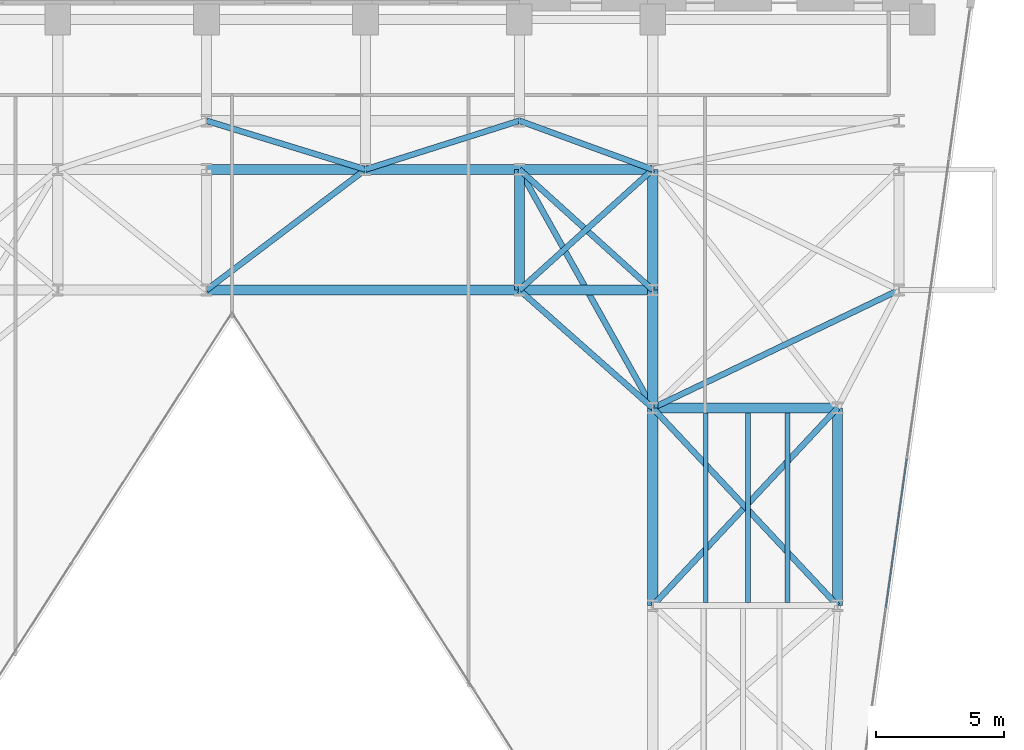
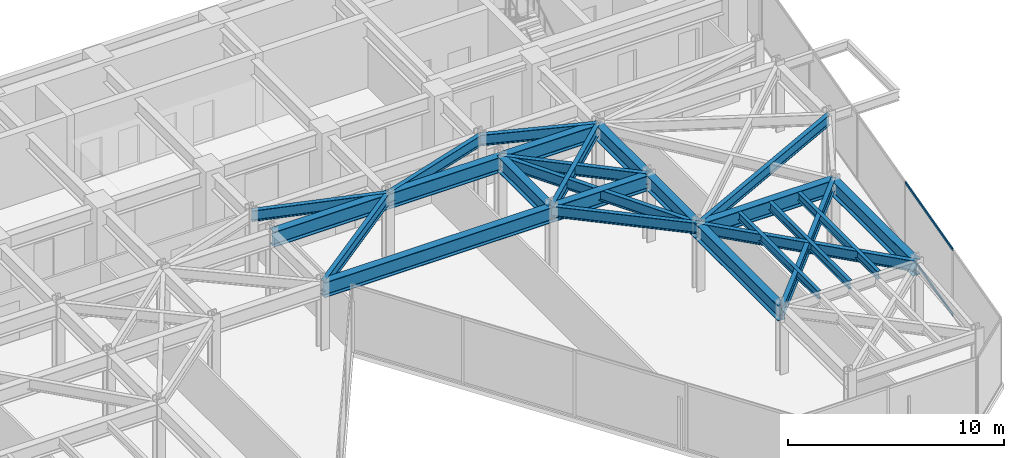
# One storey, part 13 of 24: 25 beams, 2 members, 1 element without a shape of its own.
"""IFC4 building model written with IfcOpenShell, lengths in metres."""

import ifcopenshell
import ifcopenshell.guid

model = None  # the IFC model being written
_history = None  # IfcOwnerHistory: only IFC2X3 demands one
_inside = {}  # id of a spatial element -> (the spatial element, [elements in it])
_under = {}  # id of a project, library or spatial element -> (it, [spatial elements below it])
_declared = {}  # id of a project -> (the project, [libraries it declares])
_typed = {}  # id of a type object -> (the type object, [elements of that type])
_made_of = {}  # id of a material, layer set ... -> (it, [elements and type objects made of it])


def new_model(schema):
    """Start an empty IFC model of exactly this schema.

    Asked for "IFC4X3", IfcOpenShell would pick the latest addendum, in which some entities
    have other attributes; the version numbers below select the first issue.
    IFC2X3 requires an IfcOwnerHistory on every rooted entity: one is made here for all.
    """
    global model, _history
    if schema == "IFC4X3":
        model = ifcopenshell.file(schema_version=(4, 3, 0, 0))
    else:
        model = ifcopenshell.file(schema=schema)
    _inside.clear()
    _under.clear()
    _declared.clear()
    _typed.clear()
    _made_of.clear()
    _history = None
    if model.schema == "IFC2X3":
        org = make("IfcOrganization", Name="unknown")
        user = make(
            "IfcPersonAndOrganization",
            ThePerson=make("IfcPerson", FamilyName="unknown"),
            TheOrganization=org,
        )
        app = make(
            "IfcApplication",
            ApplicationDeveloper=org,
            Version="unknown",
            ApplicationFullName="unknown",
            ApplicationIdentifier="unknown",
        )
        _history = make(
            "IfcOwnerHistory",
            OwningUser=user,
            OwningApplication=app,
            ChangeAction="ADDED",
            CreationDate=0,
        )
    return model


def make(cls, **values):
    """One entity of the class cls with the attributes given. An attribute that is None is left unset."""
    return model.create_entity(
        cls, **{name: value for name, value in values.items() if value is not None}
    )


def rooted(cls, **values):
    """An entity with a GlobalId (a new one), such as an element, a storey or a relation."""
    return make(cls, GlobalId=ifcopenshell.guid.new(), OwnerHistory=_history, **values)


def si_unit(unit_type, name, prefix=None):
    """IfcSIUnit, for example si_unit("LENGTHUNIT", "METRE", prefix="MILLI")."""
    return make("IfcSIUnit", UnitType=unit_type, Prefix=prefix, Name=name)


def assignment(units):
    """IfcUnitAssignment: the units of a project."""
    return None if units is None else make("IfcUnitAssignment", Units=units)


def point(xyz):
    """IfcCartesianPoint."""
    return None if xyz is None else make("IfcCartesianPoint", Coordinates=xyz)


def direction(xyz):
    """IfcDirection."""
    return None if xyz is None else make("IfcDirection", DirectionRatios=xyz)


def frame(location, z_axis=None, x_axis=None):
    """IfcAxis2Placement3D, a coordinate frame: its origin and axes. An axis left out is left unset."""
    return make(
        "IfcAxis2Placement3D",
        Location=point(location),
        Axis=direction(z_axis),
        RefDirection=direction(x_axis),
    )


def frame_2d(location, x_axis=None):
    """IfcAxis2Placement2D, a coordinate frame in the plane: its origin and x axis."""
    return make(
        "IfcAxis2Placement2D", Location=point(location), RefDirection=direction(x_axis)
    )


def origin():
    """The frame at (0, 0, 0) with its axes left unset."""
    return frame((0.0, 0.0, 0.0))


def origin_2d():
    """The frame at (0, 0) in the plane with its x axis left unset."""
    return frame_2d((0.0, 0.0))


def place(relative_to, where):
    """IfcLocalPlacement: puts the frame where relative to a parent placement (None: the world)."""
    return make(
        "IfcLocalPlacement", PlacementRelTo=relative_to, RelativePlacement=where
    )


def context(
    kind, dimensions, precision=None, world=None, true_north=None, identifier=None
):
    """IfcGeometricRepresentationContext, for example the 3D "Model" context."""
    return make(
        "IfcGeometricRepresentationContext",
        ContextIdentifier=identifier,
        ContextType=kind,
        CoordinateSpaceDimension=dimensions,
        Precision=precision,
        WorldCoordinateSystem=world,
        TrueNorth=true_north,
    )


def subcontext(parent, identifier, kind, view, scale=None):
    """IfcGeometricRepresentationSubContext, for example "Body" below "Model"."""
    return make(
        "IfcGeometricRepresentationSubContext",
        ContextIdentifier=identifier,
        ContextType=kind,
        ParentContext=parent,
        TargetScale=scale,
        TargetView=view,
    )


def project(units=None, contexts=None):
    """IfcProject with its units and contexts."""
    return rooted(
        "IfcProject",
        Name="project",
        RepresentationContexts=contexts,
        UnitsInContext=assignment(units),
    )


def spatial(cls, under=None, at=None, **own):
    """A site, building, storey or space (cls), placed at a placement, below another one or the project."""
    s = rooted(cls, ObjectPlacement=at, **own)
    if under is not None:
        _under.setdefault(under.id(), (under, []))[1].append(s)
    return s


def profile(cls, at=None, kind="AREA", **sizes):
    """A parametric profile (cls). Its sizes go by their IFC names, for example OverallWidth=200.0."""
    return make(cls, ProfileType=kind, Position=at, **sizes)


def hollow_rectangle(**sizes):
    """IfcRectangleHollowProfileDef."""
    return profile("IfcRectangleHollowProfileDef", **sizes)


def i_section(**sizes):
    """IfcIShapeProfileDef."""
    return profile("IfcIShapeProfileDef", **sizes)


def extrude(swept, where, along, depth):
    """IfcExtrudedAreaSolid: the profile swept, set in the frame where, extruded along a direction by depth."""
    return make(
        "IfcExtrudedAreaSolid",
        SweptArea=swept,
        Position=where,
        ExtrudedDirection=direction(along),
        Depth=depth,
    )


def shape(context_of_items, identifier, shape_type, items):
    """IfcShapeRepresentation: the items that make up one representation, for example the "Body"."""
    return make(
        "IfcShapeRepresentation",
        ContextOfItems=context_of_items,
        RepresentationIdentifier=identifier,
        RepresentationType=shape_type,
        Items=items,
    )


def material(Name=None, Category=None):
    """IfcMaterial."""
    return make("IfcMaterial", Name=Name, Category=Category)


def layer(
    of_material, thickness, ventilated=None, Name=None, Category=None, Priority=None
):
    """IfcMaterialLayer: one layer of a wall or slab, of a material (None: an air gap)."""
    return make(
        "IfcMaterialLayer",
        Material=of_material,
        LayerThickness=thickness,
        IsVentilated=ventilated,
        Name=Name,
        Category=Category,
        Priority=Priority,
    )


def layer_set(layers, Name=None):
    """IfcMaterialLayerSet."""
    return make("IfcMaterialLayerSet", MaterialLayers=layers, LayerSetName=Name)


def material_profile(
    of_material, cross_section, Name=None, Category=None, Priority=None
):
    """IfcMaterialProfile: a cross section and its material."""
    return make(
        "IfcMaterialProfile",
        Name=Name,
        Material=of_material,
        Profile=cross_section,
        Priority=Priority,
        Category=Category,
    )


def profile_set(profiles, Name=None, composite=None):
    """IfcMaterialProfileSet."""
    return make(
        "IfcMaterialProfileSet",
        Name=Name,
        MaterialProfiles=profiles,
        CompositeProfile=composite,
    )


def made_of(thing, what):
    """Note that an element or type object is made of a material, layer set ...; save() writes the relation."""
    if what is not None:
        _made_of.setdefault(what.id(), (what, []))[1].append(thing)
    return thing


def type_object(cls, material=None, **own):
    """A type object (cls), such as IfcWallType, which elements share."""
    return made_of(rooted(cls, **own), material)


def element(
    cls,
    number,
    at=None,
    inside=None,
    cuts=None,
    type_object=None,
    material=None,
    context=None,
    identifier="Body",
    shape_type=None,
    held_by="IfcProductDefinitionShape",
    body=None,
    shapes=None,
    **own,
):
    """One element of the class cls, such as IfcWall. Its Tag is "e" and its number.

    at: its placement. inside: the storey or other place that contains it. cuts: it is an
    opening in that element (IfcRelVoidsElement). A single representation is given by context,
    identifier, shape_type and body (its items); several are given by shapes. held_by: the class
    of the entity that holds the representations. save() writes the other relations.
    """
    e = rooted(cls, Tag="e%d" % number, ObjectPlacement=at, **own)
    if body is not None:
        shapes = [shape(context, identifier, shape_type, body)]
    if shapes is not None:
        e.Representation = make(held_by, Representations=shapes)
    if inside is not None:
        _inside.setdefault(inside.id(), (inside, []))[1].append(e)
    if cuts is not None:
        rooted(
            "IfcRelVoidsElement", RelatingBuildingElement=cuts, RelatedOpeningElement=e
        )
    if type_object is not None:
        _typed.setdefault(type_object.id(), (type_object, []))[1].append(e)
    return made_of(e, material)


def aggregate(whole, parts):
    """IfcRelAggregates: a whole, such as a stair, and the parts it consists of."""
    return rooted("IfcRelAggregates", RelatingObject=whole, RelatedObjects=parts)


def save(model, path):
    """Write the relations noted so far, then the file.

    IfcRelAggregates (storeys below a building ...), IfcRelContainedInSpatialStructure (elements
    in a storey), IfcRelDefinesByType, IfcRelAssociatesMaterial and IfcRelDeclares: one each for
    every whole, place, type object, material and project.
    """
    for whole, parts in _under.values():
        aggregate(whole, parts)
    for where, things in _inside.values():
        rooted(
            "IfcRelContainedInSpatialStructure",
            RelatedElements=things,
            RelatingStructure=where,
        )
    for kind, things in _typed.values():
        rooted("IfcRelDefinesByType", RelatedObjects=things, RelatingType=kind)
    for what, things in _made_of.values():
        rooted("IfcRelAssociatesMaterial", RelatedObjects=things, RelatingMaterial=what)
    for by, libraries in _declared.values():
        rooted("IfcRelDeclares", RelatingContext=by, RelatedDefinitions=libraries)
    model.write(path)


model = new_model("IFC4")

# Units and contexts
model_context = context("Model", 3, precision=1e-05, world=origin(), true_north=direction((0.0, 1.0)))
body_context = subcontext(model_context, "Body", "Model", "MODEL_VIEW")
ifc_project = project(units=[si_unit("LENGTHUNIT", "METRE"), si_unit("AREAUNIT", "SQUARE_METRE"), si_unit("VOLUMEUNIT", "CUBIC_METRE"), si_unit("PLANEANGLEUNIT", "RADIAN"), si_unit("MASSUNIT", "GRAM", prefix="KILO")], contexts=[model_context])

# Site, building, storey
site_placement = place(None, origin())
site = spatial("IfcSite", under=ifc_project, at=site_placement, CompositionType="ELEMENT")
building_placement = place(site_placement, origin())
building = spatial("IfcBuilding", under=site, at=building_placement, Name="Kravanh Interchange Tower", CompositionType="ELEMENT")
storey_placement = place(building_placement, frame((0.0, 0.0, 96.0)))
storey = spatial("IfcBuildingStorey", under=building, at=storey_placement, Name="L22", CompositionType="ELEMENT", Elevation=96.0)

# Curtain wall, members
ifc_material_1 = material(Name="Anodised Bronze Aluminium", Category="aluminium")
ifc_layer = layer(ifc_material_1, 0.179931640625)
ifc_layer_set = layer_set([ifc_layer], Name="Unitised Curtain Wall System CW-Z2 Mid Office")
curtain_wall_type = type_object("IfcCurtainWallType", Name="Unitised Curtain Wall System CW-Z2 Mid Office", PredefinedType="NOTDEFINED", material=ifc_layer_set)
curtain_wall_placement = place(storey_placement, origin())
curtain_wall = element("IfcCurtainWall", 1, at=curtain_wall_placement, inside=storey, type_object=curtain_wall_type, Name="L22 Unitised Curtain Wall CW-L22-01", PredefinedType="NOTDEFINED")
ifc_material_2 = material(Name="Anodised Bronze Aluminium", Category="aluminium")
ifc_material_profile_1 = material_profile(ifc_material_2, hollow_rectangle(XDim=0.06005859375, YDim=0.139892578125, WallThickness=0.00390625, at=origin_2d()), Name="ALU60X140X4")
ifc_profile_set_1 = profile_set([ifc_material_profile_1], Name="Anodised Bronze Aluminium")
member_type = type_object("IfcMemberType", Name="Curtain Wall Transom ALU60X140X4 Bronze", PredefinedType="USERDEFINED", material=ifc_profile_set_1)
member_1_placement = place(storey_placement, frame((65.9033203125, 20.213623046875, 0.030029296875), z_axis=(-0.139142286665, -0.990272398919, 0.0), x_axis=(0.990272398919, -0.139142286665, 0.0)))
member_1 = element("IfcMember", 2, at=member_1_placement, type_object=member_type, Name="CW-Z2 transom 4.1", ObjectType="TRANSOM", PredefinedType="USERDEFINED", context=body_context, shape_type="SweptSolid", body=[
    extrude(hollow_rectangle(XDim=0.06005859375, YDim=0.139892578125, WallThickness=0.00390625, at=origin_2d()), origin(), (0.0, 0.0, 1.0), 5.849853515625),
])
member_2_placement = place(storey_placement, frame((65.9033203125, 20.213623046875, 3.719970703125), z_axis=(-0.139142286665, -0.990272398919, 0.0), x_axis=(0.990272398919, -0.139142286665, 0.0)))
member_2 = element("IfcMember", 3, at=member_2_placement, type_object=member_type, Name="CW-Z2 transom 4.2", ObjectType="TRANSOM", PredefinedType="USERDEFINED", context=body_context, shape_type="SweptSolid", body=[
    extrude(hollow_rectangle(XDim=0.06005859375, YDim=0.139892578125, WallThickness=0.00390625, at=origin_2d()), origin(), (0.0, 0.0, 1.0), 5.849853515625),
])
aggregate(curtain_wall, [member_1, member_2])

# Beams
ifc_material_3 = material(Name="Structural Steel S355", Category="steel")
ifc_material_profile_2 = material_profile(ifc_material_3, i_section(OverallWidth=0.39990234375, OverallDepth=0.85595703125, WebThickness=0.018310546875, FlangeThickness=0.029296875, FilletRadius=0.02490234375, at=origin_2d()), Name="W33X201")
ifc_profile_set_2 = profile_set([ifc_material_profile_2], Name="Structural Steel S355")
beam_type_1 = type_object("IfcBeamType", Name="Floor Beam W33X201 Structural Steel S355", PredefinedType="BEAM", material=ifc_profile_set_2)
beam_1_placement = place(storey_placement, frame((38.60009765625, 26.800048828125, 3.322021484375), z_axis=(1.0, 0.0, 0.0), x_axis=(0.0, 1.0, 0.0)))
element("IfcBeam", 4, at=beam_1_placement, inside=storey, type_object=beam_type_1, Name="L22 Primary Floor Girder 56", PredefinedType="BEAM", context=body_context, shape_type="SweptSolid", body=[
    extrude(i_section(OverallWidth=0.39990234375, OverallDepth=0.85595703125, WebThickness=0.018310546875, FlangeThickness=0.029296875, FilletRadius=0.02490234375, at=origin_2d()), origin(), (0.0, 0.0, 1.0), 12.199951171875),
])
beam_2_placement = place(storey_placement, frame((50.800048828125, 26.800048828125, 3.322021484375), z_axis=(0.0, 1.0, 0.0), x_axis=(-1.0, 0.0, 0.0)))
element("IfcBeam", 5, at=beam_2_placement, inside=storey, type_object=beam_type_1, Name="L22 Primary Floor Girder 57", PredefinedType="BEAM", context=body_context, shape_type="SweptSolid", body=[
    extrude(i_section(OverallWidth=0.39990234375, OverallDepth=0.85595703125, WebThickness=0.018310546875, FlangeThickness=0.029296875, FilletRadius=0.02490234375, at=origin_2d()), origin(), (0.0, 0.0, 1.0), 4.699951171875),
])
beam_3_placement = place(storey_placement, frame((50.800048828125, 26.800048828125, 3.322021484375), z_axis=(1.0, 0.0, 0.0), x_axis=(0.0, 1.0, 0.0)))
element("IfcBeam", 6, at=beam_3_placement, inside=storey, type_object=beam_type_1, Name="L22 Primary Floor Girder 58", PredefinedType="BEAM", context=body_context, shape_type="SweptSolid", body=[
    extrude(i_section(OverallWidth=0.39990234375, OverallDepth=0.85595703125, WebThickness=0.018310546875, FlangeThickness=0.029296875, FilletRadius=0.02490234375, at=origin_2d()), origin(), (0.0, 0.0, 1.0), 5.199951171875),
])
beam_4_placement = place(storey_placement, frame((56.0, 26.800048828125, 3.322021484375), z_axis=(0.0, -1.0, 0.0), x_axis=(1.0, 0.0, 0.0)))
element("IfcBeam", 7, at=beam_4_placement, inside=storey, type_object=beam_type_1, Name="L22 Primary Floor Girder 61", PredefinedType="BEAM", context=body_context, shape_type="SweptSolid", body=[
    extrude(i_section(OverallWidth=0.39990234375, OverallDepth=0.85595703125, WebThickness=0.018310546875, FlangeThickness=0.029296875, FilletRadius=0.02490234375, at=origin_2d()), origin(), (0.0, 0.0, 1.0), 4.60009765625),
])
beam_5_placement = place(storey_placement, frame((56.0, 26.800048828125, 3.322021484375), z_axis=(0.0, 1.0, 0.0), x_axis=(-1.0, 0.0, 0.0)))
element("IfcBeam", 8, at=beam_5_placement, inside=storey, type_object=beam_type_1, Name="L22 Primary Floor Girder 62", PredefinedType="BEAM", context=body_context, shape_type="SweptSolid", body=[
    extrude(i_section(OverallWidth=0.39990234375, OverallDepth=0.85595703125, WebThickness=0.018310546875, FlangeThickness=0.029296875, FilletRadius=0.02490234375, at=origin_2d()), origin(), (0.0, 0.0, 1.0), 4.699951171875),
])
beam_6_placement = place(storey_placement, frame((38.60009765625, 31.5, 3.322021484375), z_axis=(1.0, 0.0, 0.0), x_axis=(0.0, 1.0, 0.0)))
element("IfcBeam", 9, at=beam_6_placement, inside=storey, type_object=beam_type_1, Name="L22 Primary Floor Girder 81", PredefinedType="BEAM", context=body_context, shape_type="SweptSolid", body=[
    extrude(i_section(OverallWidth=0.39990234375, OverallDepth=0.85595703125, WebThickness=0.018310546875, FlangeThickness=0.029296875, FilletRadius=0.02490234375, at=origin_2d()), origin(), (0.0, 0.0, 1.0), 6.199951171875),
])
beam_7_placement = place(storey_placement, frame((44.800048828125, 31.5, 3.322021484375), z_axis=(1.0, 0.0, 0.0), x_axis=(0.0, 1.0, 0.0)))
element("IfcBeam", 10, at=beam_7_placement, inside=storey, type_object=beam_type_1, Name="L22 Primary Floor Girder 83", PredefinedType="BEAM", context=body_context, shape_type="SweptSolid", body=[
    extrude(i_section(OverallWidth=0.39990234375, OverallDepth=0.85595703125, WebThickness=0.018310546875, FlangeThickness=0.029296875, FilletRadius=0.02490234375, at=origin_2d()), origin(), (0.0, 0.0, 1.0), 6.0),
])
beam_8_placement = place(storey_placement, frame((50.800048828125, 31.5, 3.322021484375), z_axis=(1.0, 0.0, 0.0), x_axis=(0.0, 1.0, 0.0)))
element("IfcBeam", 11, at=beam_8_placement, inside=storey, type_object=beam_type_1, Name="L22 Primary Floor Girder 86", PredefinedType="BEAM", context=body_context, shape_type="SweptSolid", body=[
    extrude(i_section(OverallWidth=0.39990234375, OverallDepth=0.85595703125, WebThickness=0.018310546875, FlangeThickness=0.029296875, FilletRadius=0.02490234375, at=origin_2d()), origin(), (0.0, 0.0, 1.0), 5.199951171875),
])
for number, where, z_axis, x_axis, name in (
    (12, (56.0, 14.5, 3.322021484375), (0.0, 1.0, 0.0), (-1.0, 0.0, 0.0), "L22 Primary Floor Girder 104"),
    (13, (63.199951171875, 14.5, 3.322021484375), (0.0, 1.0, 0.0), (-1.0, 0.0, 0.0), "L22 Primary Floor Girder 106"),
):
    element("IfcBeam", number, at=place(storey_placement, frame(where, z_axis=z_axis, x_axis=x_axis)), inside=storey, type_object=beam_type_1, Name=name, PredefinedType="BEAM", context=body_context, shape_type="SweptSolid", body=[
        extrude(i_section(OverallWidth=0.39990234375, OverallDepth=0.85595703125, WebThickness=0.018310546875, FlangeThickness=0.029296875, FilletRadius=0.02490234375, at=origin_2d()), origin(), (0.0, 0.0, 1.0), 7.699951171875),
    ])
beam_9_placement = place(storey_placement, frame((56.0, 22.199951171875, 3.322021484375), z_axis=(1.0, 0.0, 0.0), x_axis=(0.0, 1.0, 0.0)))
element("IfcBeam", 14, at=beam_9_placement, inside=storey, type_object=beam_type_1, Name="L22 Primary Floor Girder 109", PredefinedType="BEAM", context=body_context, shape_type="SweptSolid", body=[
    extrude(i_section(OverallWidth=0.39990234375, OverallDepth=0.85595703125, WebThickness=0.018310546875, FlangeThickness=0.029296875, FilletRadius=0.02490234375, at=origin_2d()), origin(), (0.0, 0.0, 1.0), 7.199951171875),
])
ifc_material_4 = material(Name="Structural Steel S355", Category="steel")
ifc_material_profile_3 = material_profile(ifc_material_4, i_section(OverallWidth=0.18994140625, OverallDepth=0.45703125, WebThickness=0.009033203125, FlangeThickness=0.014404296875, FilletRadius=0.01806640625, at=origin_2d()), Name="W18X50")
ifc_profile_set_3 = profile_set([ifc_material_profile_3], Name="Structural Steel S355")
beam_type_2 = type_object("IfcBeamType", Name="Floor Joist W18X50 Structural Steel S355", PredefinedType="JOIST", material=ifc_profile_set_3)
for number, where, z_axis, x_axis, name in (
    (15, (58.06591796875, 14.60888671875, 3.521484375), (0.0, 1.0, 0.0), (-1.0, 0.0, 0.0), "L22 Secondary Floor Joist 10"),
    (16, (59.718017578125, 14.60888671875, 3.521484375), (0.0, 1.0, 0.0), (-1.0, 0.0, 0.0), "L22 Secondary Floor Joist 11"),
    (17, (61.251953125, 14.60888671875, 3.521484375), (0.0, 1.0, 0.0), (-1.0, 0.0, 0.0), "L22 Secondary Floor Joist 12"),
):
    element("IfcBeam", number, at=place(storey_placement, frame(where, z_axis=z_axis, x_axis=x_axis)), inside=storey, type_object=beam_type_2, Name=name, PredefinedType="JOIST", context=body_context, shape_type="SweptSolid", body=[
        extrude(i_section(OverallWidth=0.18994140625, OverallDepth=0.45703125, WebThickness=0.009033203125, FlangeThickness=0.014404296875, FilletRadius=0.01806640625, at=origin_2d()), origin(), (0.0, 0.0, 1.0), 7.39599609375),
    ])
ifc_material_5 = material(Name="Structural Steel S355", Category="steel")
ifc_material_profile_4 = material_profile(ifc_material_5, i_section(OverallWidth=0.22802734375, OverallDepth=0.60791015625, WebThickness=0.01123046875, FlangeThickness=0.017333984375, FilletRadius=0.02197265625, at=origin_2d()), Name="W24X76")
ifc_profile_set_4 = profile_set([ifc_material_profile_4], Name="Structural Steel S355")
beam_type_3 = type_object("IfcBeamType", Name="Floor Spandrel W24X76 Structural Steel S355", PredefinedType="SPANDREL", material=ifc_profile_set_4)
beam_10_placement = place(storey_placement, frame((38.60009765625, 26.800048828125, 3.446044921875), z_axis=(0.796905365509, 0.604104161898, 0.0), x_axis=(-0.604104161898, 0.796905365509, 0.0)))
element("IfcBeam", 18, at=beam_10_placement, inside=storey, type_object=beam_type_3, Name="L22 Perimeter Spandrel 55", PredefinedType="SPANDREL", context=body_context, shape_type="SweptSolid", body=[
    extrude(i_section(OverallWidth=0.22802734375, OverallDepth=0.60791015625, WebThickness=0.01123046875, FlangeThickness=0.017333984375, FilletRadius=0.02197265625, at=origin_2d()), origin(), (0.0, 0.0, 1.0), 7.780029296875),
])
beam_11_placement = place(storey_placement, frame((50.800048828125, 26.800048828125, 3.446044921875), z_axis=(0.74898649432, -0.662585263439, 0.0), x_axis=(0.662585263439, 0.74898649432, 0.0)))
element("IfcBeam", 19, at=beam_11_placement, inside=storey, type_object=beam_type_3, Name="L22 Perimeter Spandrel 59", PredefinedType="SPANDREL", context=body_context, shape_type="SweptSolid", body=[
    extrude(i_section(OverallWidth=0.22802734375, OverallDepth=0.60791015625, WebThickness=0.01123046875, FlangeThickness=0.017333984375, FilletRadius=0.02197265625, at=origin_2d()), origin(), (0.0, 0.0, 1.0), 6.942626953125),
])
for number, where, z_axis, x_axis, name in (
    (20, (50.800048828125, 26.800048828125, 3.446044921875), (0.741874009795, 0.670539300557, 0.0), (-0.670539300557, 0.741874009795, 0.0), "L22 Perimeter Spandrel 60"),
    (21, (56.0, 26.800048828125, 3.446044921875), (-0.741874009795, 0.670539300557, 0.0), (-0.670539300557, -0.741874009795, 0.0), "L22 Perimeter Spandrel 63"),
):
    element("IfcBeam", number, at=place(storey_placement, frame(where, z_axis=z_axis, x_axis=x_axis)), inside=storey, type_object=beam_type_3, Name=name, PredefinedType="SPANDREL", context=body_context, shape_type="SweptSolid", body=[
        extrude(i_section(OverallWidth=0.22802734375, OverallDepth=0.60791015625, WebThickness=0.01123046875, FlangeThickness=0.017333984375, FilletRadius=0.02197265625, at=origin_2d()), origin(), (0.0, 0.0, 1.0), 7.00927734375),
    ])
beam_12_placement = place(storey_placement, frame((65.60009765625, 26.800048828125, 3.446044921875), z_axis=(-0.901814166789, -0.432124066188, 0.0), x_axis=(0.432124066188, -0.901814166789, 0.0)))
element("IfcBeam", 22, at=beam_12_placement, inside=storey, type_object=beam_type_3, Name="L22 Perimeter Spandrel 67", PredefinedType="SPANDREL", context=body_context, shape_type="SweptSolid", body=[
    extrude(i_section(OverallWidth=0.22802734375, OverallDepth=0.60791015625, WebThickness=0.01123046875, FlangeThickness=0.017333984375, FilletRadius=0.02197265625, at=origin_2d()), origin(), (0.0, 0.0, 1.0), 10.645263671875),
])
beam_13_placement = place(storey_placement, frame((44.800048828125, 31.5, 3.446044921875), z_axis=(0.953346691051, 0.301877602122, 0.0), x_axis=(-0.301877602122, 0.953346691051, 0.0)))
element("IfcBeam", 23, at=beam_13_placement, inside=storey, type_object=beam_type_3, Name="L22 Perimeter Spandrel 84", PredefinedType="SPANDREL", context=body_context, shape_type="SweptSolid", body=[
    extrude(i_section(OverallWidth=0.22802734375, OverallDepth=0.60791015625, WebThickness=0.01123046875, FlangeThickness=0.017333984375, FilletRadius=0.02197265625, at=origin_2d()), origin(), (0.0, 0.0, 1.0), 6.293701171875),
])
beam_14_placement = place(storey_placement, frame((44.800048828125, 31.5, 3.446044921875), z_axis=(-0.956115397264, 0.292990353279, 0.0), x_axis=(-0.292990353279, -0.956115397264, 0.0)))
element("IfcBeam", 24, at=beam_14_placement, inside=storey, type_object=beam_type_3, Name="L22 Perimeter Spandrel 85", PredefinedType="SPANDREL", context=body_context, shape_type="SweptSolid", body=[
    extrude(i_section(OverallWidth=0.22802734375, OverallDepth=0.60791015625, WebThickness=0.01123046875, FlangeThickness=0.017333984375, FilletRadius=0.02197265625, at=origin_2d()), origin(), (0.0, 0.0, 1.0), 6.484619140625),
])
beam_15_placement = place(storey_placement, frame((50.800048828125, 31.5, 3.446044921875), z_axis=(0.488026248114, -0.872828952975, 0.0), x_axis=(0.872828952975, 0.488026248114, 0.0)))
element("IfcBeam", 25, at=beam_15_placement, inside=storey, type_object=beam_type_3, Name="L22 Perimeter Spandrel 87", PredefinedType="SPANDREL", context=body_context, shape_type="SweptSolid", body=[
    extrude(i_section(OverallWidth=0.22802734375, OverallDepth=0.60791015625, WebThickness=0.01123046875, FlangeThickness=0.017333984375, FilletRadius=0.02197265625, at=origin_2d()), origin(), (0.0, 0.0, 1.0), 10.655029296875),
])
beam_16_placement = place(storey_placement, frame((56.0, 31.5, 3.446044921875), z_axis=(-0.93926957103, 0.343180233896, 0.0), x_axis=(-0.343180233896, -0.93926957103, 0.0)))
element("IfcBeam", 26, at=beam_16_placement, inside=storey, type_object=beam_type_3, Name="L22 Perimeter Spandrel 89", PredefinedType="SPANDREL", context=body_context, shape_type="SweptSolid", body=[
    extrude(i_section(OverallWidth=0.22802734375, OverallDepth=0.60791015625, WebThickness=0.01123046875, FlangeThickness=0.017333984375, FilletRadius=0.02197265625, at=origin_2d()), origin(), (0.0, 0.0, 1.0), 5.5361328125),
])
for number, where, z_axis, x_axis, name in (
    (27, (56.0, 14.5, 3.446044921875), (0.682993762113, 0.73042420614, 0.0), (-0.73042420614, 0.682993762113, 0.0), "L22 Perimeter Spandrel 105"),
    (28, (63.199951171875, 14.5, 3.446044921875), (-0.682993762113, 0.73042420614, 0.0), (-0.73042420614, -0.682993762113, 0.0), "L22 Perimeter Spandrel 107"),
):
    element("IfcBeam", number, at=place(storey_placement, frame(where, z_axis=z_axis, x_axis=x_axis)), inside=storey, type_object=beam_type_3, Name=name, PredefinedType="SPANDREL", context=body_context, shape_type="SweptSolid", body=[
        extrude(i_section(OverallWidth=0.22802734375, OverallDepth=0.60791015625, WebThickness=0.01123046875, FlangeThickness=0.017333984375, FilletRadius=0.02197265625, at=origin_2d()), origin(), (0.0, 0.0, 1.0), 10.541748046875),
    ])

save(model, "model.ifc")
